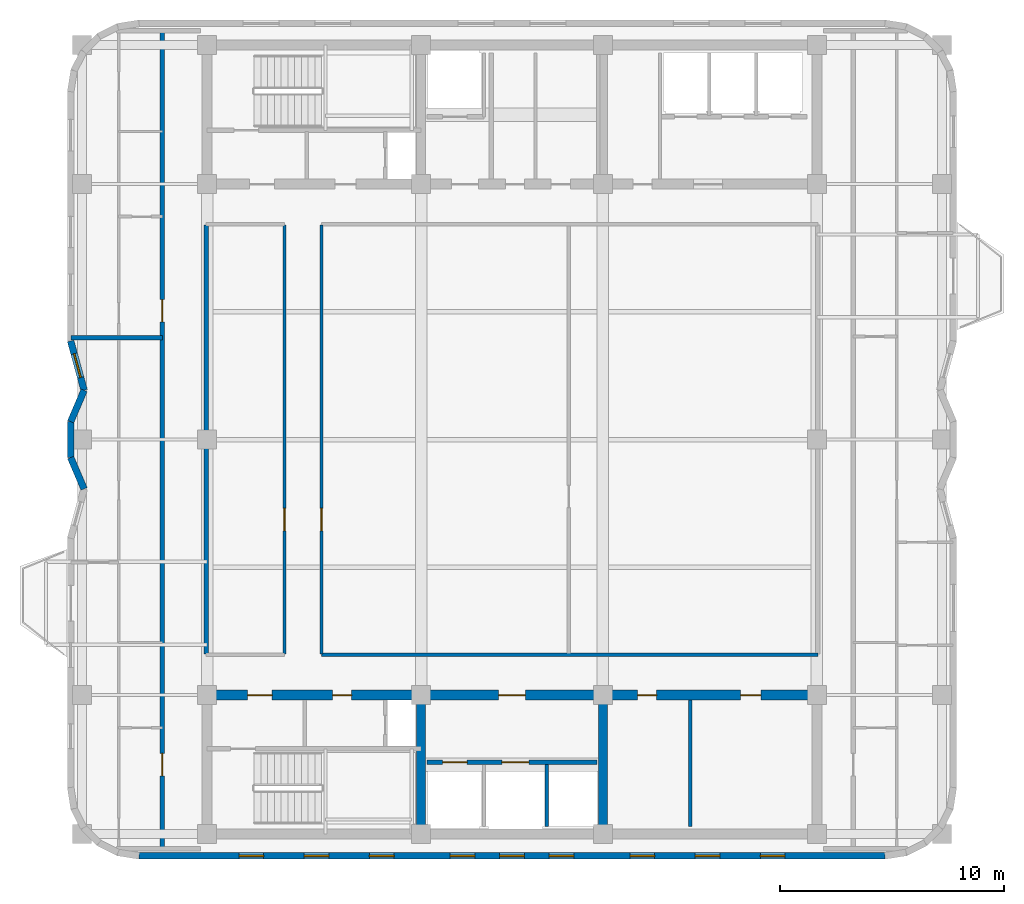
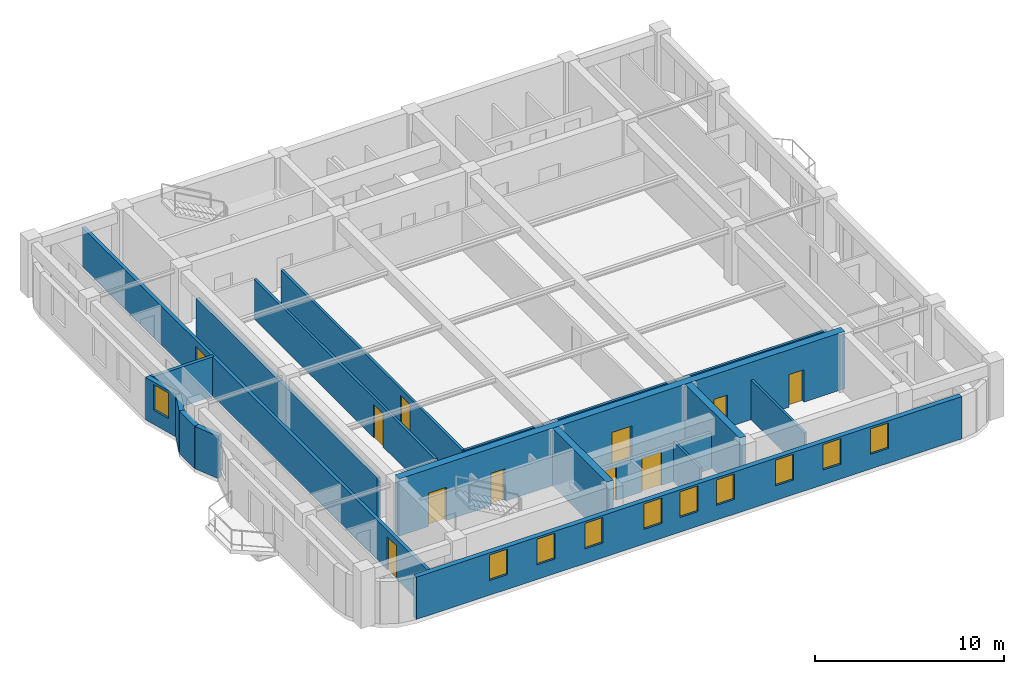
# One storey, part 3 of 8: 17 walls, 11 doors, 10 windows, 21 openings.
"""IFC4 building model written with IfcOpenShell, lengths in metres."""

from ifc_helpers import new_model, si_unit, direction, frame, frame_2d, origin, place, context, subcontext, project, spatial, rectangle, extrude, material, layer, layer_set, type_object, element, fill, save


model = new_model("IFC4")

# Units and contexts
model_context = context("Model", 3, precision=1e-05, world=origin(), true_north=direction((0.0, 1.0)))
body_context = subcontext(model_context, "Body", "Model", "MODEL_VIEW")
ifc_project = project(units=[si_unit("LENGTHUNIT", "METRE"), si_unit("AREAUNIT", "SQUARE_METRE"), si_unit("VOLUMEUNIT", "CUBIC_METRE"), si_unit("PLANEANGLEUNIT", "RADIAN"), si_unit("MASSUNIT", "GRAM", prefix="KILO")], contexts=[model_context])

# Site, building, storey
site_placement = place(None, origin())
site = spatial("IfcSite", under=ifc_project, at=site_placement, CompositionType="ELEMENT")
building_placement = place(site_placement, origin())
building = spatial("IfcBuilding", under=site, at=building_placement, Name="Svetorya Sky Lyceum", CompositionType="ELEMENT")
storey_placement = place(building_placement, frame((0.0, 0.0, 251.699951171875)))
storey = spatial("IfcBuildingStorey", under=building, at=storey_placement, Name="L63", CompositionType="ELEMENT", Elevation=251.699951171875)

# Walls
ifc_material_1 = material(Name="Concrete C40/50", Category="concrete")
ifc_layer_1 = layer(ifc_material_1, 0.39990234375)
ifc_layer_set_1 = layer_set([ifc_layer_1], Name="Concrete C40/50")
wall_type_1 = type_object("IfcWallType", Name="WL-CORE-400", PredefinedType="SHEAR", material=ifc_layer_set_1)
for number, where, z_axis, x_axis, name in (
    (1, (35.14990234375, 10.824951171875, 0.0), (0.0, 0.0, 1.0), (0.0, 1.0, 0.0), "L63 SC Internal Shear Web WEB1"),
    (2, (43.25, 10.824951171875, 0.0), (0.0, 0.0, 1.0), (0.0, 1.0, 0.0), "L63 SC Internal Shear Web WEB2"),
):
    element("IfcWall", number, at=place(storey_placement, frame(where, z_axis=z_axis, x_axis=x_axis)), inside=storey, type_object=wall_type_1, Name=name, PredefinedType="SHEAR", context=body_context, shape_type="SweptSolid", body=[
        extrude(rectangle(XDim=5.75, YDim=0.39990234375, at=frame_2d((2.875, 0.0))), origin(), (0.0, 0.0, 1.0), 3.699951171875),
    ])

# Wall, openings, doors
ifc_material_2 = material(Name="Concrete C50/60", Category="concrete")
ifc_layer_2 = layer(ifc_material_2, 0.449951171875)
ifc_layer_set_2 = layer_set([ifc_layer_2], Name="Concrete C50/60")
wall_type_2 = type_object("IfcWallType", Name="WL-CORE-450", PredefinedType="SHEAR", material=ifc_layer_set_2)
wall_1_placement = place(storey_placement, frame((25.60009765625, 16.800048828125, 0.0), z_axis=(0.0, 0.0, 1.0), x_axis=(1.0, 0.0, 0.0)))
wall_1 = element("IfcWall", 3, at=wall_1_placement, inside=storey, type_object=wall_type_2, Name="L63 SC Inner Core Shear Wall", PredefinedType="SHEAR", context=body_context, shape_type="SweptSolid", body=[
    extrude(rectangle(XDim=27.199951171875, YDim=0.449951171875, at=frame_2d((13.60009765625, 0.0))), origin(), (0.0, 0.0, 1.0), 3.699951171875),
])
opening_1_placement = place(wall_1_placement, frame((1.800048828125, 0.0, 0.0)))
opening_1 = element("IfcOpeningElement", 4, at=opening_1_placement, cuts=wall_1, Name="Opening D-ST1", PredefinedType="OPENING", context=body_context, shape_type="SweptSolid", body=[
    extrude(rectangle(XDim=1.10009765625, YDim=2.14990234375, at=frame_2d((0.550048828125, 1.074951171875))), frame((0.0, 0.23486328125, 0.0), z_axis=(0.0, -1.0, 0.0), x_axis=(1.0, 0.0, 0.0)), (0.0, 0.0, 1.0), 0.469970703125),
])
opening_2_placement = place(wall_1_placement, frame((5.60009765625, 0.0, 0.0)))
opening_2 = element("IfcOpeningElement", 5, at=opening_2_placement, cuts=wall_1, Name="Opening D-CWC1", PredefinedType="OPENING", context=body_context, shape_type="SweptSolid", body=[
    extrude(rectangle(XDim=0.85009765625, YDim=2.10009765625, at=frame_2d((0.425048828125, 1.050048828125))), frame((0.0, 0.23486328125, 0.0), z_axis=(0.0, -1.0, 0.0), x_axis=(1.0, 0.0, 0.0)), (0.0, 0.0, 1.0), 0.469970703125),
])
opening_3_placement = place(wall_1_placement, frame((13.0, 0.0, 0.0)))
opening_3 = element("IfcOpeningElement", 6, at=opening_3_placement, cuts=wall_1, Name="Opening D-FL1", PredefinedType="OPENING", context=body_context, shape_type="SweptSolid", body=[
    extrude(rectangle(XDim=1.199951171875, YDim=2.14990234375, at=frame_2d((0.60009765625, 1.074951171875))), frame((0.0, 0.23486328125, 0.0), z_axis=(0.0, -1.0, 0.0), x_axis=(1.0, 0.0, 0.0)), (0.0, 0.0, 1.0), 0.469970703125),
])
opening_4_placement = place(wall_1_placement, frame((19.199951171875, 0.0, 0.0)))
opening_4 = element("IfcOpeningElement", 7, at=opening_4_placement, cuts=wall_1, Name="Opening D-CWC1", PredefinedType="OPENING", context=body_context, shape_type="SweptSolid", body=[
    extrude(rectangle(XDim=0.85009765625, YDim=2.10009765625, at=frame_2d((0.425048828125, 1.050048828125))), frame((0.0, 0.23486328125, 0.0), z_axis=(0.0, -1.0, 0.0), x_axis=(1.0, 0.0, 0.0)), (0.0, 0.0, 1.0), 0.469970703125),
])
opening_5_placement = place(wall_1_placement, frame((23.800048828125, 0.0, 0.0)))
opening_5 = element("IfcOpeningElement", 8, at=opening_5_placement, cuts=wall_1, Name="Opening D-RM1", PredefinedType="OPENING", context=body_context, shape_type="SweptSolid", body=[
    extrude(rectangle(XDim=0.89990234375, YDim=2.10009765625, at=frame_2d((0.449951171875, 1.050048828125))), frame((0.0, 0.23486328125, 0.0), z_axis=(0.0, -1.0, 0.0), x_axis=(1.0, 0.0, 0.0)), (0.0, 0.0, 1.0), 0.469970703125),
])
ifc_material_3 = material(Name="Fire-rated galvanized steel core service closet door", Category="steel")
door_type_1 = type_object("IfcDoorType", Name="DR-CWET-850", OperationType="SINGLE_SWING_LEFT", PredefinedType="DOOR", material=ifc_material_3)
door_1_placement = place(opening_2_placement, origin())
door_1 = element("IfcDoor", 9, at=door_1_placement, inside=storey, type_object=door_type_1, Name="L63 South Hydrant Room Door", OperationType="SINGLE_SWING_LEFT", OverallHeight=2.10009765625, OverallWidth=0.85009765625, PredefinedType="DOOR", context=body_context, shape_type="SweptSolid", body=[
    extrude(rectangle(XDim=0.85009765625, YDim=2.10009765625, at=frame_2d((0.425048828125, 1.050048828125))), frame((0.0, 0.02490234375, 0.0), z_axis=(0.0, -1.0, 0.0), x_axis=(1.0, 0.0, 0.0)), (0.0, 0.0, 1.0), 0.050048828125),
])
fill(opening_2, door_1)
door_2_placement = place(opening_4_placement, origin())
door_2 = element("IfcDoor", 10, at=door_2_placement, inside=storey, type_object=door_type_1, Name="L63 Laundry Door", OperationType="SINGLE_SWING_RIGHT", OverallHeight=2.10009765625, OverallWidth=0.85009765625, PredefinedType="DOOR", context=body_context, shape_type="SweptSolid", body=[
    extrude(rectangle(XDim=0.85009765625, YDim=2.10009765625, at=frame_2d((0.425048828125, 1.050048828125))), frame((0.0, 0.02490234375, 0.0), z_axis=(0.0, -1.0, 0.0), x_axis=(1.0, 0.0, 0.0)), (0.0, 0.0, 1.0), 0.050048828125),
])
fill(opening_4, door_2)
ifc_material_4 = material(Name="Powder-coated insulated galvanized stair fire door")
door_type_2 = type_object("IfcDoorType", Name="DR-FIRE-1100", OperationType="SINGLE_SWING_LEFT", PredefinedType="DOOR", material=ifc_material_4)
door_3_placement = place(opening_1_placement, origin())
door_3 = element("IfcDoor", 11, at=door_3_placement, inside=storey, type_object=door_type_2, Name="L63 South Stair Airlock Door", OperationType="SINGLE_SWING_RIGHT", OverallHeight=2.14990234375, OverallWidth=1.10009765625, PredefinedType="DOOR", context=body_context, shape_type="SweptSolid", body=[
    extrude(rectangle(XDim=1.10009765625, YDim=2.14990234375, at=frame_2d((0.550048828125, 1.074951171875))), frame((0.0, 0.02490234375, 0.0), z_axis=(0.0, -1.0, 0.0), x_axis=(1.0, 0.0, 0.0)), (0.0, 0.0, 1.0), 0.050048828125),
])
fill(opening_1, door_3)
ifc_material_5 = material(Name="Powder-coated insulated galvanized fire door")
door_type_3 = type_object("IfcDoorType", Name="DR-FIRE-1200", OperationType="SINGLE_SWING_LEFT", PredefinedType="DOOR", material=ifc_material_5)
door_4_placement = place(opening_3_placement, origin())
door_4 = element("IfcDoor", 12, at=door_4_placement, inside=storey, type_object=door_type_3, Name="L63 South Firefighting Lift Lobby Door", OperationType="SINGLE_SWING_LEFT", OverallHeight=2.14990234375, OverallWidth=1.199951171875, PredefinedType="DOOR", context=body_context, shape_type="SweptSolid", body=[
    extrude(rectangle(XDim=1.199951171875, YDim=2.14990234375, at=frame_2d((0.60009765625, 1.074951171875))), frame((0.0, 0.02490234375, 0.0), z_axis=(0.0, -1.0, 0.0), x_axis=(1.0, 0.0, 0.0)), (0.0, 0.0, 1.0), 0.050048828125),
])
fill(opening_3, door_4)
ifc_material_6 = material(Name="Lacquered birch veneer internal door")
door_type_4 = type_object("IfcDoorType", Name="DR-INT-900", OperationType="SINGLE_SWING_LEFT", PredefinedType="DOOR", material=ifc_material_6)
door_5_placement = place(opening_5_placement, origin())
door_5 = element("IfcDoor", 13, at=door_5_placement, inside=storey, type_object=door_type_4, Name="L63 Pantry Door", OperationType="SINGLE_SWING_LEFT", OverallHeight=2.10009765625, OverallWidth=0.89990234375, PredefinedType="DOOR", context=body_context, shape_type="SweptSolid", body=[
    extrude(rectangle(XDim=0.89990234375, YDim=2.10009765625, at=frame_2d((0.449951171875, 1.050048828125))), frame((0.0, 0.02490234375, 0.0), z_axis=(0.0, -1.0, 0.0), x_axis=(1.0, 0.0, 0.0)), (0.0, 0.0, 1.0), 0.050048828125),
])
fill(opening_5, door_5)

# Wall, openings, windows
ifc_material_7 = material(Name="Putilovo limestone rainscreen on autoclaved cellular masonry", Category="masonry")
ifc_layer_3 = layer(ifc_material_7, 0.300048828125)
ifc_layer_set_3 = layer_set([ifc_layer_3], Name="Putilovo limestone rainscreen on autoclaved cellular masonry")
wall_type_3 = type_object("IfcWallType", Name="WL-EXT-300", PredefinedType="SOLIDWALL", material=ifc_layer_set_3)
wall_2_placement = place(storey_placement, frame((22.56005859375, 9.6298828125, 0.0), z_axis=(0.0, 0.0, 1.0), x_axis=(1.0, 0.0, 0.0)))
wall_2 = element("IfcWall", 14, at=wall_2_placement, inside=storey, type_object=wall_type_3, Name="L63 Limestone Exterior Wall 6M", PredefinedType="SOLIDWALL", context=body_context, shape_type="SweptSolid", body=[
    extrude(rectangle(XDim=33.280029296875, YDim=0.300048828125, at=frame_2d((16.64013671875, 0.0))), origin(), (0.0, 0.0, 1.0), 2.72998046875),
])
opening_6_placement = place(wall_2_placement, frame((4.4609375, 0.0, 0.949951171875)))
opening_6 = element("IfcOpeningElement", 15, at=opening_6_placement, cuts=wall_2, Name="Opening W-R3", PredefinedType="OPENING", context=body_context, shape_type="SweptSolid", body=[
    extrude(rectangle(XDim=1.10009765625, YDim=1.64990234375, at=frame_2d((0.550048828125, 0.824951171875))), frame((0.0, 0.159912109375, 0.0), z_axis=(0.0, -1.0, 0.0), x_axis=(1.0, 0.0, 0.0)), (0.0, 0.0, 1.0), 0.320068359375),
])
opening_7_placement = place(wall_2_placement, frame((7.3681640625, 0.0, 0.949951171875)))
opening_7 = element("IfcOpeningElement", 16, at=opening_7_placement, cuts=wall_2, Name="Opening W-R3", PredefinedType="OPENING", context=body_context, shape_type="SweptSolid", body=[
    extrude(rectangle(XDim=1.10009765625, YDim=1.64990234375, at=frame_2d((0.550048828125, 0.824951171875))), frame((0.0, 0.159912109375, 0.0), z_axis=(0.0, -1.0, 0.0), x_axis=(1.0, 0.0, 0.0)), (0.0, 0.0, 1.0), 0.320068359375),
])
opening_8_placement = place(wall_2_placement, frame((10.275390625, 0.0, 0.949951171875)))
opening_8 = element("IfcOpeningElement", 17, at=opening_8_placement, cuts=wall_2, Name="Opening W-R3", PredefinedType="OPENING", context=body_context, shape_type="SweptSolid", body=[
    extrude(rectangle(XDim=1.10009765625, YDim=1.64990234375, at=frame_2d((0.550048828125, 0.824951171875))), frame((0.0, 0.159912109375, 0.0), z_axis=(0.0, -1.0, 0.0), x_axis=(1.0, 0.0, 0.0)), (0.0, 0.0, 1.0), 0.320068359375),
])
opening_9_placement = place(wall_2_placement, frame((13.8828125, 0.0, 0.949951171875)))
opening_9 = element("IfcOpeningElement", 18, at=opening_9_placement, cuts=wall_2, Name="Opening W-R3", PredefinedType="OPENING", context=body_context, shape_type="SweptSolid", body=[
    extrude(rectangle(XDim=1.10009765625, YDim=1.64990234375, at=frame_2d((0.550048828125, 0.824951171875))), frame((0.0, 0.159912109375, 0.0), z_axis=(0.0, -1.0, 0.0), x_axis=(1.0, 0.0, 0.0)), (0.0, 0.0, 1.0), 0.320068359375),
])
opening_10_placement = place(wall_2_placement, frame((16.090087890625, 0.0, 0.949951171875)))
opening_10 = element("IfcOpeningElement", 19, at=opening_10_placement, cuts=wall_2, Name="Opening W-R3", PredefinedType="OPENING", context=body_context, shape_type="SweptSolid", body=[
    extrude(rectangle(XDim=1.10009765625, YDim=1.64990234375, at=frame_2d((0.550048828125, 0.824951171875))), frame((0.0, 0.159912109375, 0.0), z_axis=(0.0, -1.0, 0.0), x_axis=(1.0, 0.0, 0.0)), (0.0, 0.0, 1.0), 0.320068359375),
])
opening_11_placement = place(wall_2_placement, frame((18.29736328125, 0.0, 0.949951171875)))
opening_11 = element("IfcOpeningElement", 20, at=opening_11_placement, cuts=wall_2, Name="Opening W-R3", PredefinedType="OPENING", context=body_context, shape_type="SweptSolid", body=[
    extrude(rectangle(XDim=1.10009765625, YDim=1.64990234375, at=frame_2d((0.550048828125, 0.824951171875))), frame((0.0, 0.159912109375, 0.0), z_axis=(0.0, -1.0, 0.0), x_axis=(1.0, 0.0, 0.0)), (0.0, 0.0, 1.0), 0.320068359375),
])
opening_12_placement = place(wall_2_placement, frame((21.904541015625, 0.0, 0.949951171875)))
opening_12 = element("IfcOpeningElement", 21, at=opening_12_placement, cuts=wall_2, Name="Opening W-R3", PredefinedType="OPENING", context=body_context, shape_type="SweptSolid", body=[
    extrude(rectangle(XDim=1.10009765625, YDim=1.64990234375, at=frame_2d((0.550048828125, 0.824951171875))), frame((0.0, 0.159912109375, 0.0), z_axis=(0.0, -1.0, 0.0), x_axis=(1.0, 0.0, 0.0)), (0.0, 0.0, 1.0), 0.320068359375),
])
opening_13_placement = place(wall_2_placement, frame((24.811767578125, 0.0, 0.949951171875)))
opening_13 = element("IfcOpeningElement", 22, at=opening_13_placement, cuts=wall_2, Name="Opening W-R3", PredefinedType="OPENING", context=body_context, shape_type="SweptSolid", body=[
    extrude(rectangle(XDim=1.10009765625, YDim=1.64990234375, at=frame_2d((0.550048828125, 0.824951171875))), frame((0.0, 0.159912109375, 0.0), z_axis=(0.0, -1.0, 0.0), x_axis=(1.0, 0.0, 0.0)), (0.0, 0.0, 1.0), 0.320068359375),
])
opening_14_placement = place(wall_2_placement, frame((27.718994140625, 0.0, 0.949951171875)))
opening_14 = element("IfcOpeningElement", 23, at=opening_14_placement, cuts=wall_2, Name="Opening W-R3", PredefinedType="OPENING", context=body_context, shape_type="SweptSolid", body=[
    extrude(rectangle(XDim=1.10009765625, YDim=1.64990234375, at=frame_2d((0.550048828125, 0.824951171875))), frame((0.0, 0.159912109375, 0.0), z_axis=(0.0, -1.0, 0.0), x_axis=(1.0, 0.0, 0.0)), (0.0, 0.0, 1.0), 0.320068359375),
])
ifc_material_8 = material(Name="Thermally broken aluminium frame with triple low-E glazing", Category="aluminium")
window_type = type_object("IfcWindowType", Name="WN-RES-110", PartitioningType="SINGLE_PANEL", PredefinedType="WINDOW", material=ifc_material_8)
window_1_placement = place(opening_6_placement, origin())
window_1 = element("IfcWindow", 24, at=window_1_placement, inside=storey, type_object=window_type, Name="L63 Facade Window W-R3.6M.1", OverallHeight=1.64990234375, OverallWidth=1.10009765625, PartitioningType="SINGLE_PANEL", PredefinedType="WINDOW", context=body_context, shape_type="SweptSolid", body=[
    extrude(rectangle(XDim=1.10009765625, YDim=1.64990234375, at=frame_2d((0.550048828125, 0.824951171875))), frame((0.0, 0.030029296875, 0.0), z_axis=(0.0, -1.0, 0.0), x_axis=(1.0, 0.0, 0.0)), (0.0, 0.0, 1.0), 0.06005859375),
])
fill(opening_6, window_1)
window_2_placement = place(opening_7_placement, origin())
window_2 = element("IfcWindow", 25, at=window_2_placement, inside=storey, type_object=window_type, Name="L63 Facade Window W-R3.6M.2", OverallHeight=1.64990234375, OverallWidth=1.10009765625, PartitioningType="SINGLE_PANEL", PredefinedType="WINDOW", context=body_context, shape_type="SweptSolid", body=[
    extrude(rectangle(XDim=1.10009765625, YDim=1.64990234375, at=frame_2d((0.550048828125, 0.824951171875))), frame((0.0, 0.030029296875, 0.0), z_axis=(0.0, -1.0, 0.0), x_axis=(1.0, 0.0, 0.0)), (0.0, 0.0, 1.0), 0.06005859375),
])
fill(opening_7, window_2)
window_3_placement = place(opening_8_placement, origin())
window_3 = element("IfcWindow", 26, at=window_3_placement, inside=storey, type_object=window_type, Name="L63 Facade Window W-R3.6M.3", OverallHeight=1.64990234375, OverallWidth=1.10009765625, PartitioningType="SINGLE_PANEL", PredefinedType="WINDOW", context=body_context, shape_type="SweptSolid", body=[
    extrude(rectangle(XDim=1.10009765625, YDim=1.64990234375, at=frame_2d((0.550048828125, 0.824951171875))), frame((0.0, 0.030029296875, 0.0), z_axis=(0.0, -1.0, 0.0), x_axis=(1.0, 0.0, 0.0)), (0.0, 0.0, 1.0), 0.06005859375),
])
fill(opening_8, window_3)
window_4_placement = place(opening_9_placement, origin())
window_4 = element("IfcWindow", 27, at=window_4_placement, inside=storey, type_object=window_type, Name="L63 Facade Window W-R3.6M.4", OverallHeight=1.64990234375, OverallWidth=1.10009765625, PartitioningType="SINGLE_PANEL", PredefinedType="WINDOW", context=body_context, shape_type="SweptSolid", body=[
    extrude(rectangle(XDim=1.10009765625, YDim=1.64990234375, at=frame_2d((0.550048828125, 0.824951171875))), frame((0.0, 0.030029296875, 0.0), z_axis=(0.0, -1.0, 0.0), x_axis=(1.0, 0.0, 0.0)), (0.0, 0.0, 1.0), 0.06005859375),
])
fill(opening_9, window_4)
window_5_placement = place(opening_10_placement, origin())
window_5 = element("IfcWindow", 28, at=window_5_placement, inside=storey, type_object=window_type, Name="L63 Facade Window W-R3.6M.5", OverallHeight=1.64990234375, OverallWidth=1.10009765625, PartitioningType="SINGLE_PANEL", PredefinedType="WINDOW", context=body_context, shape_type="SweptSolid", body=[
    extrude(rectangle(XDim=1.10009765625, YDim=1.64990234375, at=frame_2d((0.550048828125, 0.824951171875))), frame((0.0, 0.030029296875, 0.0), z_axis=(0.0, -1.0, 0.0), x_axis=(1.0, 0.0, 0.0)), (0.0, 0.0, 1.0), 0.06005859375),
])
fill(opening_10, window_5)
window_6_placement = place(opening_11_placement, origin())
window_6 = element("IfcWindow", 29, at=window_6_placement, inside=storey, type_object=window_type, Name="L63 Facade Window W-R3.6M.6", OverallHeight=1.64990234375, OverallWidth=1.10009765625, PartitioningType="SINGLE_PANEL", PredefinedType="WINDOW", context=body_context, shape_type="SweptSolid", body=[
    extrude(rectangle(XDim=1.10009765625, YDim=1.64990234375, at=frame_2d((0.550048828125, 0.824951171875))), frame((0.0, 0.030029296875, 0.0), z_axis=(0.0, -1.0, 0.0), x_axis=(1.0, 0.0, 0.0)), (0.0, 0.0, 1.0), 0.06005859375),
])
fill(opening_11, window_6)
window_7_placement = place(opening_12_placement, origin())
window_7 = element("IfcWindow", 30, at=window_7_placement, inside=storey, type_object=window_type, Name="L63 Facade Window W-R3.6M.7", OverallHeight=1.64990234375, OverallWidth=1.10009765625, PartitioningType="SINGLE_PANEL", PredefinedType="WINDOW", context=body_context, shape_type="SweptSolid", body=[
    extrude(rectangle(XDim=1.10009765625, YDim=1.64990234375, at=frame_2d((0.550048828125, 0.824951171875))), frame((0.0, 0.030029296875, 0.0), z_axis=(0.0, -1.0, 0.0), x_axis=(1.0, 0.0, 0.0)), (0.0, 0.0, 1.0), 0.06005859375),
])
fill(opening_12, window_7)
window_8_placement = place(opening_13_placement, origin())
window_8 = element("IfcWindow", 31, at=window_8_placement, inside=storey, type_object=window_type, Name="L63 Facade Window W-R3.6M.8", OverallHeight=1.64990234375, OverallWidth=1.10009765625, PartitioningType="SINGLE_PANEL", PredefinedType="WINDOW", context=body_context, shape_type="SweptSolid", body=[
    extrude(rectangle(XDim=1.10009765625, YDim=1.64990234375, at=frame_2d((0.550048828125, 0.824951171875))), frame((0.0, 0.030029296875, 0.0), z_axis=(0.0, -1.0, 0.0), x_axis=(1.0, 0.0, 0.0)), (0.0, 0.0, 1.0), 0.06005859375),
])
fill(opening_13, window_8)
window_9_placement = place(opening_14_placement, origin())
window_9 = element("IfcWindow", 32, at=window_9_placement, inside=storey, type_object=window_type, Name="L63 Facade Window W-R3.6M.9", OverallHeight=1.64990234375, OverallWidth=1.10009765625, PartitioningType="SINGLE_PANEL", PredefinedType="WINDOW", context=body_context, shape_type="SweptSolid", body=[
    extrude(rectangle(XDim=1.10009765625, YDim=1.64990234375, at=frame_2d((0.550048828125, 0.824951171875))), frame((0.0, 0.030029296875, 0.0), z_axis=(0.0, -1.0, 0.0), x_axis=(1.0, 0.0, 0.0)), (0.0, 0.0, 1.0), 0.06005859375),
])
fill(opening_14, window_9)

# Wall, opening, window
wall_3_placement = place(storey_placement, frame((19.510009765625, 32.60009765625, 0.0), z_axis=(0.0, 0.0, 1.0), x_axis=(0.263135522356, -0.964758880174, 0.0)))
wall_3 = element("IfcWall", 33, at=wall_3_placement, inside=storey, type_object=wall_type_3, Name="L63 Limestone Exterior Wall 31M", PredefinedType="SOLIDWALL", context=body_context, shape_type="SweptSolid", body=[
    extrude(rectangle(XDim=2.280517578125, YDim=0.300048828125, at=frame_2d((1.14013671875, 0.0))), origin(), (0.0, 0.0, 1.0), 2.72998046875),
])
opening_15_placement = place(wall_3_placement, frame((0.590087890625, 0.0, 0.919921875)))
opening_15 = element("IfcOpeningElement", 34, at=opening_15_placement, cuts=wall_3, Name="Opening W-R3", PredefinedType="OPENING", context=body_context, shape_type="SweptSolid", body=[
    extrude(rectangle(XDim=1.10009765625, YDim=1.64990234375, at=frame_2d((0.550048828125, 0.824951171875))), frame((0.0, 0.159912109375, 0.0), z_axis=(0.0, -1.0, 0.0), x_axis=(1.0, 0.0, 0.0)), (0.0, 0.0, 1.0), 0.320068359375),
])
window_10_placement = place(opening_15_placement, origin())
window_10 = element("IfcWindow", 35, at=window_10_placement, inside=storey, type_object=window_type, Name="L63 Facade Window W-R3.31M.1", OverallHeight=1.64990234375, OverallWidth=1.10009765625, PartitioningType="SINGLE_PANEL", PredefinedType="WINDOW", context=body_context, shape_type="SweptSolid", body=[
    extrude(rectangle(XDim=1.10009765625, YDim=1.64990234375, at=frame_2d((0.550048828125, 0.824951171875))), frame((0.0, 0.030029296875, 0.0), z_axis=(0.0, -1.0, 0.0), x_axis=(1.0, 0.0, 0.0)), (0.0, 0.0, 1.0), 0.06005859375),
])
fill(opening_15, window_10)

# Walls
wall_4_placement = place(storey_placement, frame((20.110107421875, 30.39990234375, 0.0), z_axis=(0.0, 0.0, 1.0), x_axis=(-0.39399667932, -0.919111862988, 0.0)))
element("IfcWall", 36, at=wall_4_placement, inside=storey, type_object=wall_type_3, Name="L63 Limestone Exterior Wall 32M", PredefinedType="SOLIDWALL", context=body_context, shape_type="SweptSolid", body=[
    extrude(rectangle(XDim=1.523193359375, YDim=0.300048828125, at=frame_2d((0.76171875, 0.0))), origin(), (0.0, 0.0, 1.0), 2.72998046875),
])
wall_5_placement = place(storey_placement, frame((19.510009765625, 29.0, 0.0), z_axis=(0.0, 0.0, 1.0), x_axis=(0.0, -1.0, 0.0)))
element("IfcWall", 37, at=wall_5_placement, inside=storey, type_object=wall_type_3, Name="L63 Limestone Exterior Wall 33M", PredefinedType="SOLIDWALL", context=body_context, shape_type="SweptSolid", body=[
    extrude(rectangle(XDim=1.60009765625, YDim=0.300048828125, at=frame_2d((0.800048828125, 0.0))), origin(), (0.0, 0.0, 1.0), 2.72998046875),
])
wall_6_placement = place(storey_placement, frame((19.510009765625, 27.39990234375, 0.0), z_axis=(0.0, 0.0, 1.0), x_axis=(0.39399667932, -0.919111862988, 0.0)))
element("IfcWall", 38, at=wall_6_placement, inside=storey, type_object=wall_type_3, Name="L63 Limestone Exterior Wall 34M", PredefinedType="SOLIDWALL", context=body_context, shape_type="SweptSolid", body=[
    extrude(rectangle(XDim=1.523193359375, YDim=0.300048828125, at=frame_2d((0.76171875, 0.0))), origin(), (0.0, 0.0, 1.0), 2.72998046875),
])
ifc_material_9 = material(Name="Autoclaved cellular masonry blockwork with acoustic render", Category="masonry")
ifc_layer_4 = layer(ifc_material_9, 0.14990234375)
ifc_layer_set_4 = layer_set([ifc_layer_4], Name="Autoclaved cellular masonry blockwork with acoustic render")
wall_type_4 = type_object("IfcWallType", Name="WL-PART-150", PredefinedType="PARTITIONING", material=ifc_layer_set_4)
wall_7_placement = place(storey_placement, frame((40.75, 10.949951171875, 0.0), z_axis=(0.0, 0.0, 1.0), x_axis=(0.0, 1.0, 0.0)))
element("IfcWall", 39, at=wall_7_placement, inside=storey, type_object=wall_type_4, Name="L63 Interior Partition SC-SHD2", PredefinedType="PARTITIONING", context=body_context, shape_type="SweptSolid", body=[
    extrude(rectangle(XDim=2.75, YDim=0.14990234375, at=frame_2d((1.375, 0.0))), origin(), (0.0, 0.0, 1.0), 2.56005859375),
])
wall_8_placement = place(storey_placement, frame((47.14990234375, 10.949951171875, 0.0), z_axis=(0.0, 0.0, 1.0), x_axis=(0.0, 1.0, 0.0)))
element("IfcWall", 40, at=wall_8_placement, inside=storey, type_object=wall_type_4, Name="L63 Interior Partition SC-LV7-VA", PredefinedType="PARTITIONING", context=body_context, shape_type="SweptSolid", body=[
    extrude(rectangle(XDim=5.630126953125, YDim=0.14990234375, at=frame_2d((2.81494140625, 0.0))), origin(), (0.0, 0.0, 1.0), 2.56005859375),
])
wall_9_placement = place(storey_placement, frame((30.699951171875, 18.60009765625, 0.0), z_axis=(0.0, 0.0, 1.0), x_axis=(1.0, 0.0, 0.0)))
element("IfcWall", 41, at=wall_9_placement, inside=storey, type_object=wall_type_4, Name="L63 Interior Partition OFF-CS-E", PredefinedType="PARTITIONING", context=body_context, shape_type="SweptSolid", body=[
    extrude(rectangle(XDim=22.150146484375, YDim=0.14990234375, at=frame_2d((11.0751953125, 0.0))), origin(), (0.0, 0.0, 1.0), 2.56005859375),
])

# Wall, opening, door
wall_10_placement = place(storey_placement, frame((29.050048828125, 18.6298828125, 0.0), z_axis=(0.0, 0.0, 1.0), x_axis=(0.0, 1.0, 0.0)))
wall_10 = element("IfcWall", 42, at=wall_10_placement, inside=storey, type_object=wall_type_4, Name="L63 Interior Partition OFF-VW", PredefinedType="PARTITIONING", context=body_context, shape_type="SweptSolid", body=[
    extrude(rectangle(XDim=19.14013671875, YDim=0.14990234375, at=frame_2d((9.570068359375, 0.0))), origin(), (0.0, 0.0, 1.0), 2.56005859375),
])
opening_16_placement = place(wall_10_placement, frame((5.5, 0.0, 0.0)))
opening_16 = element("IfcOpeningElement", 43, at=opening_16_placement, cuts=wall_10, Name="Opening D-RM2", PredefinedType="OPENING", context=body_context, shape_type="SweptSolid", body=[
    extrude(rectangle(XDim=1.0, YDim=2.14990234375, at=frame_2d((0.5, 1.074951171875))), frame((0.0, 0.0849609375, 0.0), z_axis=(0.0, -1.0, 0.0), x_axis=(1.0, 0.0, 0.0)), (0.0, 0.0, 1.0), 0.169921875),
])
ifc_material_10 = material(Name="Solid-core oak acoustic room door")
door_type_5 = type_object("IfcDoorType", Name="DR-INT-1000", OperationType="SINGLE_SWING_LEFT", PredefinedType="DOOR", material=ifc_material_10)
door_6_placement = place(opening_16_placement, origin())
door_6 = element("IfcDoor", 44, at=door_6_placement, inside=storey, type_object=door_type_5, Name="L63 West Office Door", OperationType="SINGLE_SWING_LEFT", OverallHeight=2.14990234375, OverallWidth=1.0, PredefinedType="DOOR", context=body_context, shape_type="SweptSolid", body=[
    extrude(rectangle(XDim=1.0, YDim=2.14990234375, at=frame_2d((0.5, 1.074951171875))), frame((0.0, 0.02490234375, 0.0), z_axis=(0.0, -1.0, 0.0), x_axis=(1.0, 0.0, 0.0)), (0.0, 0.0, 1.0), 0.050048828125),
])
fill(opening_16, door_6)

wall_11_placement = place(storey_placement, frame((30.699951171875, 18.6298828125, 0.0), z_axis=(0.0, 0.0, 1.0), x_axis=(0.0, 1.0, 0.0)))
wall_11 = element("IfcWall", 45, at=wall_11_placement, inside=storey, type_object=wall_type_4, Name="L63 Interior Partition OFF-VE", PredefinedType="PARTITIONING", context=body_context, shape_type="SweptSolid", body=[
    extrude(rectangle(XDim=19.14013671875, YDim=0.14990234375, at=frame_2d((9.570068359375, 0.0))), origin(), (0.0, 0.0, 1.0), 2.56005859375),
])
opening_17_placement = place(wall_11_placement, frame((5.5, 0.0, 0.0)))
opening_17 = element("IfcOpeningElement", 46, at=opening_17_placement, cuts=wall_11, Name="Opening D-RM2", PredefinedType="OPENING", context=body_context, shape_type="SweptSolid", body=[
    extrude(rectangle(XDim=1.0, YDim=2.14990234375, at=frame_2d((0.5, 1.074951171875))), frame((0.0, 0.0849609375, 0.0), z_axis=(0.0, -1.0, 0.0), x_axis=(1.0, 0.0, 0.0)), (0.0, 0.0, 1.0), 0.169921875),
])
door_7_placement = place(opening_17_placement, origin())
door_7 = element("IfcDoor", 47, at=door_7_placement, inside=storey, type_object=door_type_5, Name="L63 Seminar Door", OperationType="SINGLE_SWING_RIGHT", OverallHeight=2.14990234375, OverallWidth=1.0, PredefinedType="DOOR", context=body_context, shape_type="SweptSolid", body=[
    extrude(rectangle(XDim=1.0, YDim=2.14990234375, at=frame_2d((0.5, 1.074951171875))), frame((0.0, 0.02490234375, 0.0), z_axis=(0.0, -1.0, 0.0), x_axis=(1.0, 0.0, 0.0)), (0.0, 0.0, 1.0), 0.050048828125),
])
fill(opening_17, door_7)

# Wall, openings, doors
ifc_material_11 = material(Name="Autoclaved cellular masonry blockwork with gypsum plaster", Category="masonry")
ifc_layer_5 = layer(ifc_material_11, 0.199951171875)
ifc_layer_set_5 = layer_set([ifc_layer_5], Name="Autoclaved cellular masonry blockwork with gypsum plaster")
wall_type_5 = type_object("IfcWallType", Name="WL-PART-200", PredefinedType="PARTITIONING", material=ifc_layer_set_5)
wall_12_placement = place(storey_placement, frame((35.39990234375, 13.800048828125, 0.0), z_axis=(0.0, 0.0, 1.0), x_axis=(1.0, 0.0, 0.0)))
wall_12 = element("IfcWall", 48, at=wall_12_placement, inside=storey, type_object=wall_type_5, Name="L63 Interior Partition SC-FLW", PredefinedType="PARTITIONING", context=body_context, shape_type="SweptSolid", body=[
    extrude(rectangle(XDim=7.60009765625, YDim=0.199951171875, at=frame_2d((3.800048828125, 0.0))), origin(), (0.0, 0.0, 1.0), 2.330078125),
])
opening_18_placement = place(wall_12_placement, frame((0.699951171875, 0.0, 0.0)))
opening_18 = element("IfcOpeningElement", 49, at=opening_18_placement, cuts=wall_12, Name="Opening LD-FL", PredefinedType="OPENING", context=body_context, shape_type="SweptSolid", body=[
    extrude(rectangle(XDim=1.10009765625, YDim=2.14990234375, at=frame_2d((0.550048828125, 1.074951171875))), frame((0.0, 0.10986328125, 0.0), z_axis=(0.0, -1.0, 0.0), x_axis=(1.0, 0.0, 0.0)), (0.0, 0.0, 1.0), 0.219970703125),
])
opening_19_placement = place(wall_12_placement, frame((3.35009765625, 0.0, 0.0)))
opening_19 = element("IfcOpeningElement", 50, at=opening_19_placement, cuts=wall_12, Name="Opening LD-SV", PredefinedType="OPENING", context=body_context, shape_type="SweptSolid", body=[
    extrude(rectangle(XDim=1.199951171875, YDim=2.14990234375, at=frame_2d((0.60009765625, 1.074951171875))), frame((0.0, 0.10986328125, 0.0), z_axis=(0.0, -1.0, 0.0), x_axis=(1.0, 0.0, 0.0)), (0.0, 0.0, 1.0), 0.219970703125),
])
ifc_material_12 = material(Name="Fire-rated stainless AISI 304 firefighting lift landing door")
door_type_6 = type_object("IfcDoorType", Name="DR-LIFT-1100", OperationType="SLIDING_TO_LEFT", PredefinedType="DOOR", material=ifc_material_12)
door_8_placement = place(opening_18_placement, origin())
door_8 = element("IfcDoor", 51, at=door_8_placement, inside=storey, type_object=door_type_6, Name="L63 Firefighting Lift FL2 Landing Door", OperationType="SLIDING_TO_LEFT", OverallHeight=2.14990234375, OverallWidth=1.10009765625, PredefinedType="DOOR", context=body_context, shape_type="SweptSolid", body=[
    extrude(rectangle(XDim=1.10009765625, YDim=2.14990234375, at=frame_2d((0.550048828125, 1.074951171875))), frame((0.0, 0.02490234375, 0.0), z_axis=(0.0, -1.0, 0.0), x_axis=(1.0, 0.0, 0.0)), (0.0, 0.0, 1.0), 0.050048828125),
])
fill(opening_18, door_8)
ifc_material_13 = material(Name="Brushed stainless AISI 304 telescopic lift landing door")
door_type_7 = type_object("IfcDoorType", Name="DR-LIFT-1200", OperationType="SLIDING_TO_LEFT", PredefinedType="DOOR", material=ifc_material_13)
door_9_placement = place(opening_19_placement, origin())
door_9 = element("IfcDoor", 52, at=door_9_placement, inside=storey, type_object=door_type_7, Name="L63 Service Lift SVL1 Landing Door", OperationType="SLIDING_TO_LEFT", OverallHeight=2.14990234375, OverallWidth=1.199951171875, PredefinedType="DOOR", context=body_context, shape_type="SweptSolid", body=[
    extrude(rectangle(XDim=1.199951171875, YDim=2.14990234375, at=frame_2d((0.60009765625, 1.074951171875))), frame((0.0, 0.02490234375, 0.0), z_axis=(0.0, -1.0, 0.0), x_axis=(1.0, 0.0, 0.0)), (0.0, 0.0, 1.0), 0.050048828125),
])
fill(opening_19, door_9)

# Walls
wall_13_placement = place(storey_placement, frame((25.550048828125, 18.6298828125, 0.0), z_axis=(0.0, 0.0, 1.0), x_axis=(0.0, 1.0, 0.0)))
element("IfcWall", 53, at=wall_13_placement, inside=storey, type_object=wall_type_5, Name="L63 Interior Partition W-CEN-SEP", PredefinedType="PARTITIONING", context=body_context, shape_type="SweptSolid", body=[
    extrude(rectangle(XDim=19.14013671875, YDim=0.199951171875, at=frame_2d((9.570068359375, 0.0))), origin(), (0.0, 0.0, 1.0), 2.56005859375),
])
wall_14_placement = place(storey_placement, frame((19.530029296875, 32.75, 0.0), z_axis=(0.0, 0.0, 1.0), x_axis=(1.0, 0.0, 0.0)))
element("IfcWall", 54, at=wall_14_placement, inside=storey, type_object=wall_type_5, Name="L63 Interior Partition W-PARTY-1", PredefinedType="PARTITIONING", context=body_context, shape_type="SweptSolid", body=[
    extrude(rectangle(XDim=4.070068359375, YDim=0.199951171875, at=frame_2d((2.03515625, 0.0))), origin(), (0.0, 0.0, 1.0), 2.56005859375),
])

# Wall, openings, doors
wall_15_placement = place(storey_placement, frame((23.60009765625, 9.949951171875, 0.0), z_axis=(0.0, 0.0, 1.0), x_axis=(0.0, 1.0, 0.0)))
wall_15 = element("IfcWall", 55, at=wall_15_placement, inside=storey, type_object=wall_type_5, Name="L63 Interior Partition W-CORRW", PredefinedType="PARTITIONING", context=body_context, shape_type="SweptSolid", body=[
    extrude(rectangle(XDim=36.5, YDim=0.199951171875, at=frame_2d((18.25, 0.0))), origin(), (0.0, 0.0, 1.0), 2.56005859375),
])
opening_20_placement = place(wall_15_placement, frame((3.25, 0.0, 0.0)))
opening_20 = element("IfcOpeningElement", 56, at=opening_20_placement, cuts=wall_15, Name="Opening D-APT1", PredefinedType="OPENING", context=body_context, shape_type="SweptSolid", body=[
    extrude(rectangle(XDim=1.0, YDim=2.14990234375, at=frame_2d((0.5, 1.074951171875))), frame((0.0, 0.10986328125, 0.0), z_axis=(0.0, -1.0, 0.0), x_axis=(1.0, 0.0, 0.0)), (0.0, 0.0, 1.0), 0.219970703125),
])
opening_21_placement = place(wall_15_placement, frame((23.5, 0.0, 0.0)))
opening_21 = element("IfcOpeningElement", 57, at=opening_21_placement, cuts=wall_15, Name="Opening D-APT1", PredefinedType="OPENING", context=body_context, shape_type="SweptSolid", body=[
    extrude(rectangle(XDim=1.0, YDim=2.14990234375, at=frame_2d((0.5, 1.074951171875))), frame((0.0, 0.10986328125, 0.0), z_axis=(0.0, -1.0, 0.0), x_axis=(1.0, 0.0, 0.0)), (0.0, 0.0, 1.0), 0.219970703125),
])
ifc_material_14 = material(Name="Insulated oak-veneered apartment entrance door")
door_type_8 = type_object("IfcDoorType", Name="DR-APT-1000", OperationType="SINGLE_SWING_LEFT", PredefinedType="DOOR", material=ifc_material_14)
door_10_placement = place(opening_20_placement, origin())
door_10 = element("IfcDoor", 58, at=door_10_placement, inside=storey, type_object=door_type_8, Name="L63 Apartment W1 Entrance Door", OperationType="SINGLE_SWING_LEFT", OverallHeight=2.14990234375, OverallWidth=1.0, PredefinedType="DOOR", context=body_context, shape_type="SweptSolid", body=[
    extrude(rectangle(XDim=1.0, YDim=2.14990234375, at=frame_2d((0.5, 1.074951171875))), frame((0.0, 0.02490234375, 0.0), z_axis=(0.0, -1.0, 0.0), x_axis=(1.0, 0.0, 0.0)), (0.0, 0.0, 1.0), 0.050048828125),
])
fill(opening_20, door_10)
door_11_placement = place(opening_21_placement, origin())
door_11 = element("IfcDoor", 59, at=door_11_placement, inside=storey, type_object=door_type_8, Name="L63 Apartment W2 Entrance Door", OperationType="SINGLE_SWING_RIGHT", OverallHeight=2.14990234375, OverallWidth=1.0, PredefinedType="DOOR", context=body_context, shape_type="SweptSolid", body=[
    extrude(rectangle(XDim=1.0, YDim=2.14990234375, at=frame_2d((0.5, 1.074951171875))), frame((0.0, 0.02490234375, 0.0), z_axis=(0.0, -1.0, 0.0), x_axis=(1.0, 0.0, 0.0)), (0.0, 0.0, 1.0), 0.050048828125),
])
fill(opening_21, door_11)

save(model, "model.ifc")
